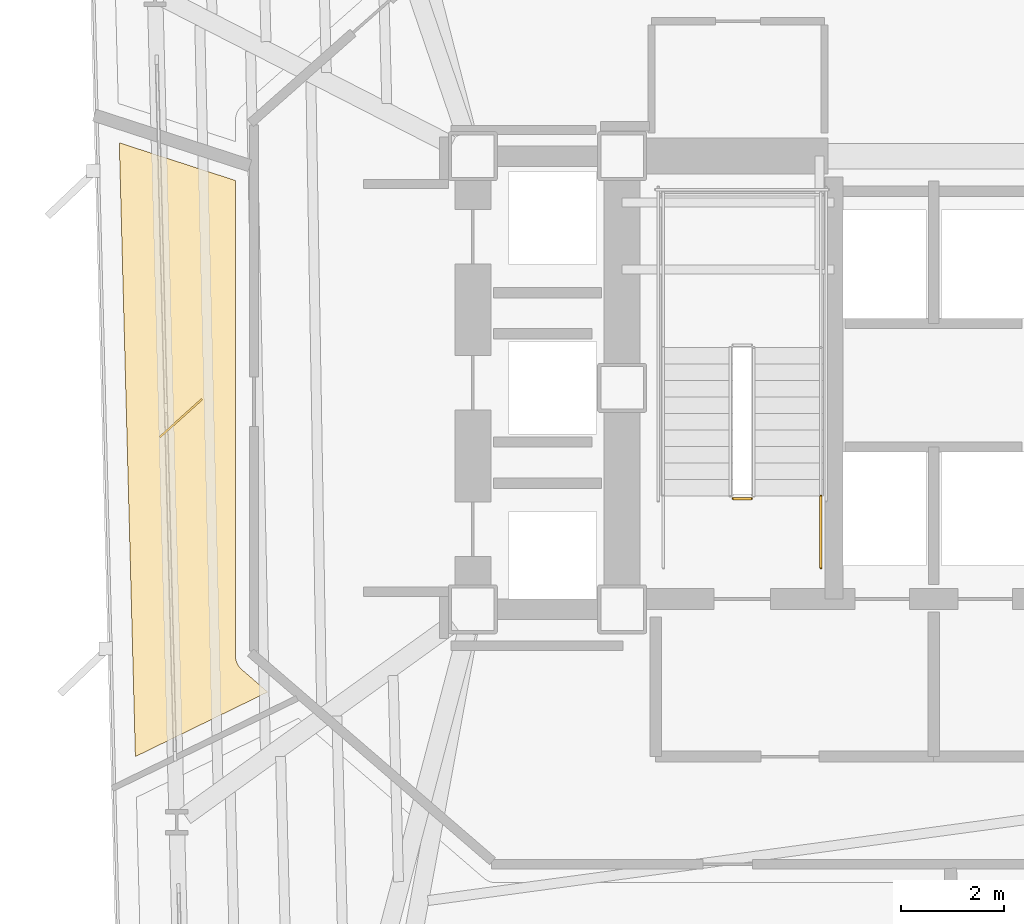
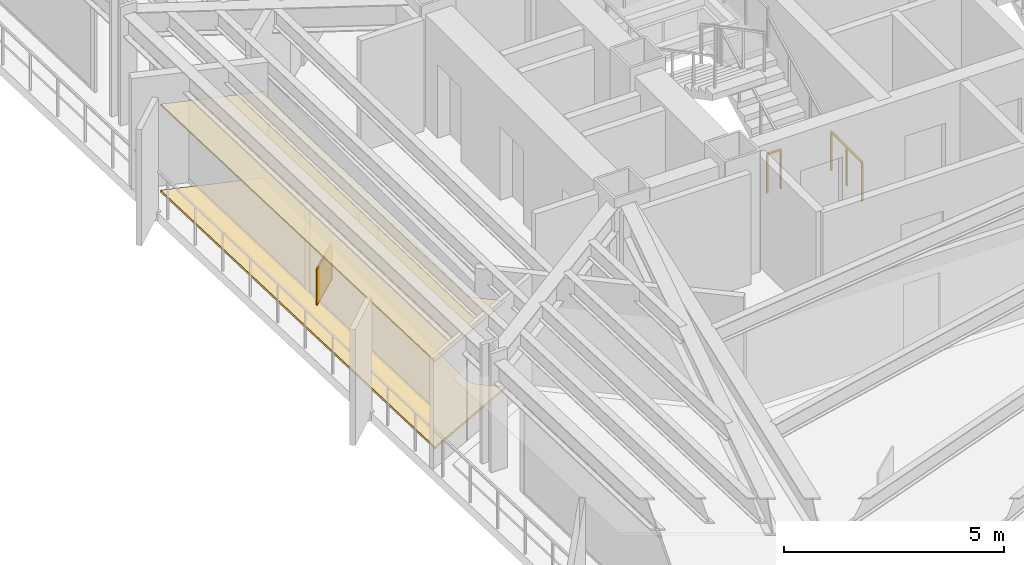
# One storey, part 11 of 14: 3 coverings, 2 railings.
"""IFC4 building model written with IfcOpenShell, lengths in metres."""

from ifc_helpers import new_model, si_unit, direction, frame, origin, origin_2d, place, context, subcontext, project, spatial, polyline, rectangle, outline, extrude, material, layer, layer_set, type_object, element, save


model = new_model("IFC4")

# Units and contexts
model_context = context("Model", 3, precision=1e-05, world=origin(), true_north=direction((0.0, 1.0)))
body_context = subcontext(model_context, "Body", "Model", "MODEL_VIEW")
ifc_project = project(units=[si_unit("LENGTHUNIT", "METRE"), si_unit("AREAUNIT", "SQUARE_METRE"), si_unit("VOLUMEUNIT", "CUBIC_METRE"), si_unit("PLANEANGLEUNIT", "RADIAN"), si_unit("MASSUNIT", "GRAM", prefix="KILO")], contexts=[model_context])

# Site, building, storey
site_placement = place(None, origin())
site = spatial("IfcSite", under=ifc_project, at=site_placement, CompositionType="ELEMENT")
building_placement = place(site_placement, origin())
building = spatial("IfcBuilding", under=site, at=building_placement, Name="Rocaltana Carrier Exchange", CompositionType="ELEMENT")
storey_placement = place(building_placement, frame((0.0, 0.0, 25.60009765625)))
storey = spatial("IfcBuildingStorey", under=building, at=storey_placement, Name="L08", CompositionType="ELEMENT", Elevation=25.60009765625)

# Coverings
ifc_material_1 = material(Name="Calcium Sulphate & Aluminium Pedestal", Category="aluminium")
ifc_layer_1 = layer(ifc_material_1, 0.06005859375)
ifc_layer_set_1 = layer_set([ifc_layer_1], Name="Calcium Sulphate & Aluminium Pedestal")
covering_type_1 = type_object("IfcCoveringType", Name="Anti-Static Raised Exchange Access Floor 60", PredefinedType="FLOORING", material=ifc_layer_set_1)
covering_1_placement = place(storey_placement, origin())
element("IfcCovering", 1, at=covering_1_placement, inside=storey, type_object=covering_type_1, Name="L08 Cloud Architecture Office Finish Floor", PredefinedType="FLOORING", context=body_context, shape_type="SweptSolid", body=[
    extrude(outline(polyline([(-15.81591796875, 4.76025390625), (-13.56005859375, 4.02734375), (-13.56005859375, -5.199951171875), (-13.559814453125, -5.21337890625), (-13.559326171875, -5.220947265625), (-13.556884765625, -5.24755859375), (-13.5556640625, -5.255126953125), (-13.550537109375, -5.281494140625), (-13.548828125, -5.288818359375), (-13.541259765625, -5.314453125), (-13.538818359375, -5.32177734375), (-13.52880859375, -5.346435546875), (-13.525634765625, -5.353515625), (-13.51318359375, -5.377197265625), (-13.509521484375, -5.3837890625), (-13.4951171875, -5.40625), (-13.490478515625, -5.41259765625), (-13.47412109375, -5.433349609375), (-13.468994140625, -5.439208984375), (-13.450439453125, -5.45849609375), (-13.44482421875, -5.4638671875), (-13.43505859375, -5.47265625), (-12.931396484375, -5.906494140625), (-15.503662109375, -7.1611328125), (-15.81591796875, 4.76025390625)])), origin(), (0.0, 0.0, 1.0), 0.059814453125),
])
ifc_material_2 = material(Name="Mineral Fibre & Powder-Coated Aluminium", Category="aluminium")
ifc_layer_2 = layer(ifc_material_2, 0.044921875)
ifc_layer_set_2 = layer_set([ifc_layer_2], Name="Mineral Fibre & Powder-Coated Aluminium")
covering_type_2 = type_object("IfcCoveringType", Name="Micro-Perforated Acoustic Ceiling 45", PredefinedType="CEILING", material=ifc_layer_set_2)
covering_2_placement = place(storey_placement, frame((0.0, 0.0, 2.40283203125)))
element("IfcCovering", 2, at=covering_2_placement, inside=storey, type_object=covering_type_2, Name="L08 Cloud Architecture Office Acoustic Ceiling", PredefinedType="CEILING", context=body_context, shape_type="SweptSolid", body=[
    extrude(outline(polyline([(-15.81591796875, 4.76025390625), (-13.56005859375, 4.02734375), (-13.56005859375, -5.199951171875), (-13.559814453125, -5.21337890625), (-13.559326171875, -5.220947265625), (-13.556884765625, -5.24755859375), (-13.5556640625, -5.255126953125), (-13.550537109375, -5.281494140625), (-13.548828125, -5.288818359375), (-13.541259765625, -5.314453125), (-13.538818359375, -5.32177734375), (-13.52880859375, -5.346435546875), (-13.525634765625, -5.353515625), (-13.51318359375, -5.377197265625), (-13.509521484375, -5.3837890625), (-13.4951171875, -5.40625), (-13.490478515625, -5.41259765625), (-13.47412109375, -5.433349609375), (-13.468994140625, -5.439208984375), (-13.450439453125, -5.45849609375), (-13.44482421875, -5.4638671875), (-13.43505859375, -5.47265625), (-12.931396484375, -5.906494140625), (-15.503662109375, -7.1611328125), (-15.81591796875, 4.76025390625)])), origin(), (0.0, 0.0, 1.0), 0.045166015625),
])

# Railings
ifc_material_3 = material(Name="Powder-Coated Aluminium 6063-T6", Category="aluminium")
ifc_layer_3 = layer(ifc_material_3, 0.048095703125)
ifc_layer_set_3 = layer_set([ifc_layer_3], Name="Powder-Coated Aluminium 6063-T6")
railing_type = type_object("IfcRailingType", Name="Stair Well Guardrail 1100", PredefinedType="GUARDRAIL", material=ifc_layer_set_3)
railing_1_placement = place(storey_placement, frame((-3.5400390625, -2.14990234375, 0.0)))
element("IfcRailing", 3, at=railing_1_placement, inside=storey, type_object=railing_type, Name="L08 ST-1 stair guard 7", PredefinedType="GUARDRAIL", context=body_context, shape_type="SweptSolid", body=[
    extrude(rectangle(XDim=0.048095703125, YDim=0.048095703125, at=origin_2d()), frame((0.0, 0.0, 1.076171875), z_axis=(-1.0, 0.0, 0.0), x_axis=(0.0, -1.0, 0.0)), (0.0, 0.0, 1.0), 0.35986328125),
    extrude(rectangle(XDim=0.0419921875, YDim=0.0419921875, at=origin_2d()), origin(), (0.0, 0.0, 1.0), 1.052001953125),
    extrude(rectangle(XDim=0.0419921875, YDim=0.0419921875, at=origin_2d()), frame((-0.35986328125, 0.0, 0.0)), (0.0, 0.0, 1.0), 1.052001953125),
])
railing_2_placement = place(storey_placement, frame((-2.18994140625, -3.5, 0.0)))
element("IfcRailing", 4, at=railing_2_placement, inside=storey, type_object=railing_type, Name="L08 ST-1 stair guard 8", PredefinedType="GUARDRAIL", context=body_context, shape_type="SweptSolid", body=[
    extrude(rectangle(XDim=0.048095703125, YDim=0.048095703125, at=origin_2d()), frame((0.0, 0.0, 1.076171875), z_axis=(0.0, 1.0, 0.0), x_axis=(-1.0, 0.0, 0.0)), (0.0, 0.0, 1.0), 1.39990234375),
    extrude(rectangle(XDim=0.0419921875, YDim=0.0419921875, at=origin_2d()), origin(), (0.0, 0.0, 1.0), 1.052001953125),
    extrude(rectangle(XDim=0.0419921875, YDim=0.0419921875, at=origin_2d()), frame((0.0, 0.699951171875, 0.0)), (0.0, 0.0, 1.0), 1.052001953125),
    extrude(rectangle(XDim=0.0419921875, YDim=0.0419921875, at=origin_2d()), frame((0.0, 1.39990234375, 0.0)), (0.0, 0.0, 1.0), 1.052001953125),
])

# Covering
ifc_material_4 = material(Name="Honed Piedra Muneca Sandstone", Category="masonry")
ifc_layer_4 = layer(ifc_material_4, 0.034912109375)
ifc_layer_set_4 = layer_set([ifc_layer_4], Name="Honed Piedra Muneca Sandstone")
covering_type_3 = type_object("IfcCoveringType", Name="Stone Facade Cladding 35", PredefinedType="CLADDING", material=ifc_layer_set_4)
covering_3_placement = place(storey_placement, frame((-14.617919921875, -0.586181640625, 0.0), z_axis=(0.0, 0.0, 1.0), x_axis=(0.743144825477, 0.669130606359, 0.0)))
element("IfcCovering", 5, at=covering_3_placement, inside=storey, type_object=covering_type_3, Name="L08 Stone Facade Cladding Panel 1", PredefinedType="CLADDING", context=body_context, shape_type="SweptSolid", body=[
    extrude(rectangle(XDim=1.10009765625, YDim=0.034912109375, at=origin_2d()), origin(), (0.0, 0.0, 1.0), 1.050048828125),
])

save(model, "model.ifc")
